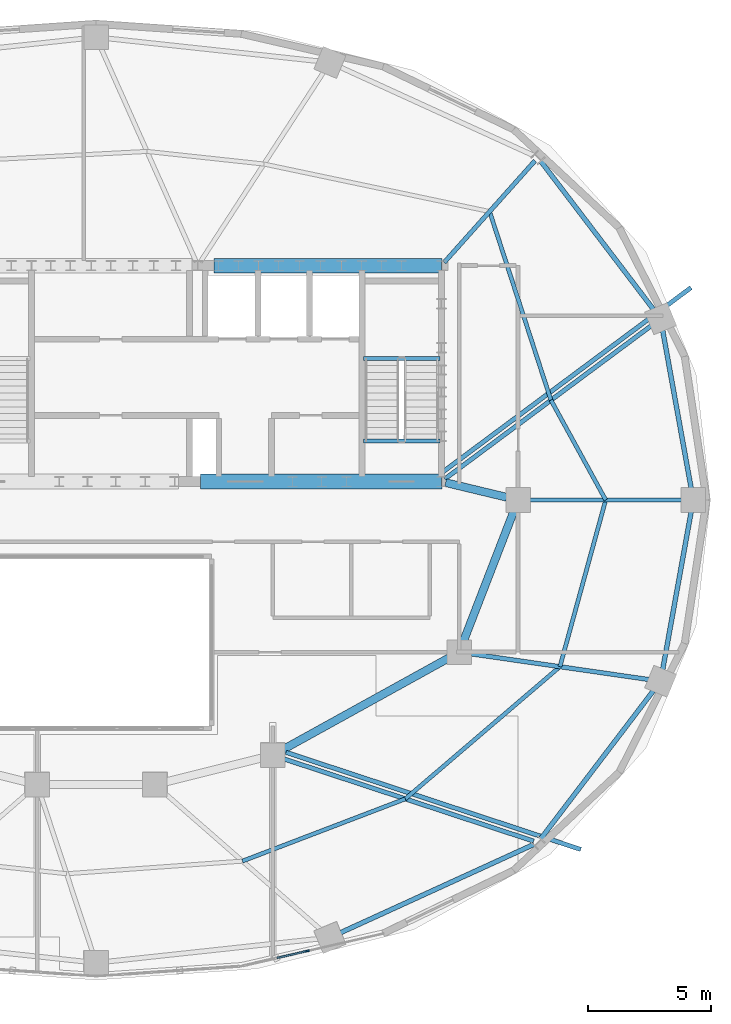
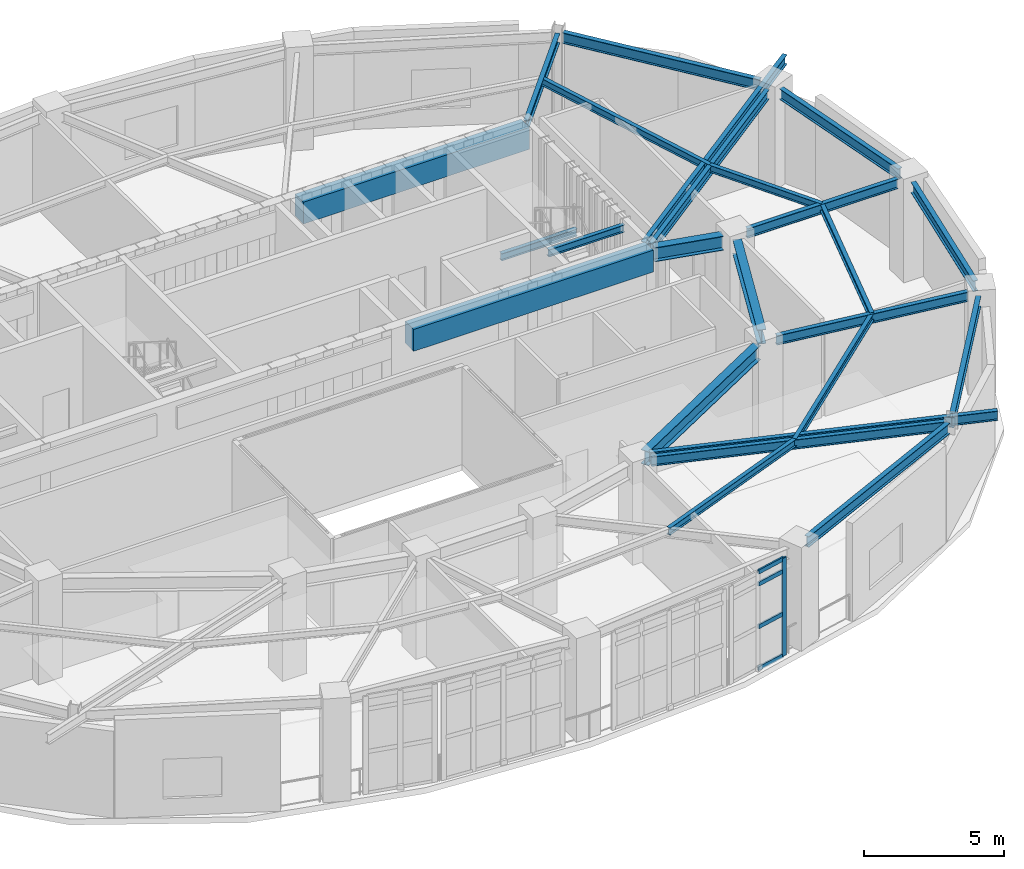
# One storey, part 5 of 11: 24 beams, 5 members, 1 element without a shape of its own.
"""IFC4 building model written with IfcOpenShell, lengths in metres."""

from ifc_helpers import new_model, si_unit, direction, frame, origin, origin_2d, place, context, subcontext, project, spatial, rectangle, i_section, extrude, material, material_profile, profile_set, type_object, element, aggregate, save


model = new_model("IFC4")

# Units and contexts
model_context = context("Model", 3, precision=1e-05, world=origin(), true_north=direction((0.0, 1.0)))
body_context = subcontext(model_context, "Body", "Model", "MODEL_VIEW")
ifc_project = project(units=[si_unit("LENGTHUNIT", "METRE"), si_unit("AREAUNIT", "SQUARE_METRE"), si_unit("VOLUMEUNIT", "CUBIC_METRE"), si_unit("PLANEANGLEUNIT", "RADIAN"), si_unit("MASSUNIT", "GRAM", prefix="KILO")], contexts=[model_context])

# Site, building, storey
site_placement = place(None, origin())
site = spatial("IfcSite", under=ifc_project, at=site_placement, CompositionType="ELEMENT")
building_placement = place(site_placement, origin())
building = spatial("IfcBuilding", under=site, at=building_placement, Name="Haldorwick Loom Tower", CompositionType="ELEMENT")
storey_placement = place(building_placement, frame((0.0, 0.0, 247.800048828125)))
storey = spatial("IfcBuildingStorey", under=building, at=storey_placement, Name="L67", CompositionType="ELEMENT", Elevation=247.800048828125)

# Curtain wall, members
ifc_material_1 = material(Name="Thermally Broken Anodized Aluminium Curtain Wall Framing", Category="aluminium")
curtain_wall_type = type_object("IfcCurtainWallType", Name="ARC-CW-05", PredefinedType="NOTDEFINED", material=ifc_material_1)
curtain_wall_placement = place(storey_placement, origin())
curtain_wall = element("IfcCurtainWall", 1, at=curtain_wall_placement, inside=storey, type_object=curtain_wall_type, Name="L67 Facade Curtain Wall CW-05 Bay 20", PredefinedType="NOTDEFINED")
ifc_material_profile_1 = material_profile(ifc_material_1, rectangle(XDim=0.068115234375, YDim=0.201904296875, at=origin_2d()), Name="ALU_MUL_68X202", Category="aluminium")
ifc_profile_set_1 = profile_set([ifc_material_profile_1], Name="Thermally Broken Anodized Aluminium Curtain Wall Framing")
member_type_1 = type_object("IfcMemberType", Name="ARC-CWM-05", PredefinedType="MULLION", material=ifc_profile_set_1)
member_1_placement = place(storey_placement, frame((44.59375, 7.620849609375, 0.0), z_axis=(0.0, 0.0, 1.0), x_axis=(-0.223948599878, 0.974600956604, 0.0)))
member_1 = element("IfcMember", 2, at=member_1_placement, type_object=member_type_1, Name="CW-05 mullion 3", PredefinedType="MULLION", context=body_context, shape_type="SweptSolid", body=[
    extrude(rectangle(XDim=0.068115234375, YDim=0.201904296875, at=origin_2d()), origin(), (0.0, 0.0, 1.0), 4.260009765625),
])
ifc_material_profile_2 = material_profile(ifc_material_1, rectangle(XDim=0.068115234375, YDim=0.181884765625, at=origin_2d()), Name="ALU_TRN_68X182", Category="aluminium")
ifc_profile_set_2 = profile_set([ifc_material_profile_2], Name="Thermally Broken Anodized Aluminium Curtain Wall Framing")
member_type_2 = type_object("IfcMemberType", Name="ARC-CWT-05", PredefinedType="USERDEFINED", material=ifc_profile_set_2)
member_2_placement = place(storey_placement, frame((43.37451171875, 7.340576171875, 0.033935546875), z_axis=(0.974580154458, 0.224039109391, 0.0), x_axis=(-0.224039109391, 0.974580154458, 0.0)))
member_2 = element("IfcMember", 3, at=member_2_placement, type_object=member_type_2, Name="CW-05 transom 2.1", ObjectType="TRANSOM", PredefinedType="USERDEFINED", context=body_context, shape_type="SweptSolid", body=[
    extrude(rectangle(XDim=0.068115234375, YDim=0.181884765625, at=origin_2d()), origin(), (0.0, 0.0, 1.0), 1.21728515625),
])
member_3_placement = place(storey_placement, frame((43.37451171875, 7.340576171875, 1.849853515625), z_axis=(0.974580154458, 0.224039109391, 0.0), x_axis=(-0.224039109391, 0.974580154458, 0.0)))
member_3 = element("IfcMember", 4, at=member_3_placement, type_object=member_type_2, Name="CW-05 transom 2.2", ObjectType="TRANSOM", PredefinedType="USERDEFINED", context=body_context, shape_type="SweptSolid", body=[
    extrude(rectangle(XDim=0.068115234375, YDim=0.181884765625, at=origin_2d()), origin(), (0.0, 0.0, 1.0), 1.21728515625),
])
member_4_placement = place(storey_placement, frame((43.37451171875, 7.340576171875, 3.699951171875), z_axis=(0.974580154458, 0.224039109391, 0.0), x_axis=(-0.224039109391, 0.974580154458, 0.0)))
member_4 = element("IfcMember", 5, at=member_4_placement, type_object=member_type_2, Name="CW-05 transom 2.3", ObjectType="TRANSOM", PredefinedType="USERDEFINED", context=body_context, shape_type="SweptSolid", body=[
    extrude(rectangle(XDim=0.068115234375, YDim=0.181884765625, at=origin_2d()), origin(), (0.0, 0.0, 1.0), 1.21728515625),
])
member_5_placement = place(storey_placement, frame((43.37451171875, 7.340576171875, 4.225830078125), z_axis=(0.974580154458, 0.224039109391, 0.0), x_axis=(-0.224039109391, 0.974580154458, 0.0)))
member_5 = element("IfcMember", 6, at=member_5_placement, type_object=member_type_2, Name="CW-05 transom 2.4", ObjectType="TRANSOM", PredefinedType="USERDEFINED", context=body_context, shape_type="SweptSolid", body=[
    extrude(rectangle(XDim=0.068115234375, YDim=0.181884765625, at=origin_2d()), origin(), (0.0, 0.0, 1.0), 1.21728515625),
])
aggregate(curtain_wall, [member_1, member_2, member_3, member_4, member_5])

# Beams
ifc_material_2 = material(Name="Steel CSA G40.21 350W", Category="steel")
ifc_material_profile_3 = material_profile(ifc_material_2, i_section(OverallWidth=0.179931640625, OverallDepth=0.4130859375, WebThickness=0.009765625, FlangeThickness=0.01611328125, at=origin_2d()), Name="W410X74", Category="steel")
ifc_profile_set_3 = profile_set([ifc_material_profile_3], Name="Steel CSA G40.21 350W")
beam_type_1 = type_object("IfcBeamType", Name="STR-BM-BAL410", PredefinedType="BEAM", material=ifc_profile_set_3)
beam_1_placement = place(storey_placement, frame((43.73876953125, 15.71728515625, 4.053466796875), z_axis=(0.949823383564, -0.312786732512, 0.0), x_axis=(0.312786732512, 0.949823383564, 0.0)))
element("IfcBeam", 7, at=beam_1_placement, inside=storey, type_object=beam_type_1, Name="L67 Continuous Back-Spanned Balcony Beam 1", PredefinedType="BEAM", context=body_context, shape_type="SweptSolid", body=[
    extrude(i_section(OverallWidth=0.179931640625, OverallDepth=0.4130859375, WebThickness=0.009765625, FlangeThickness=0.01611328125, at=origin_2d()), origin(), (0.0, 0.0, 1.0), 12.65087890625),
])
beam_2_placement = place(storey_placement, frame((50.0458984375, 27.080810546875, 4.053466796875), z_axis=(0.802800628814, 0.596247557962, 0.0), x_axis=(-0.596247557962, 0.802800628814, 0.0)))
element("IfcBeam", 8, at=beam_2_placement, inside=storey, type_object=beam_type_1, Name="L67 Continuous Back-Spanned Balcony Beam 4", PredefinedType="BEAM", context=body_context, shape_type="SweptSolid", body=[
    extrude(i_section(OverallWidth=0.179931640625, OverallDepth=0.4130859375, WebThickness=0.009765625, FlangeThickness=0.01611328125, at=origin_2d()), origin(), (0.0, 0.0, 1.0), 12.701416015625),
])
ifc_material_3 = material(Name="Concrete C50 (50 MPa)", Category="concrete")
ifc_material_profile_4 = material_profile(ifc_material_3, rectangle(XDim=0.60009765625, YDim=0.949951171875, at=origin_2d()), Name="RC600X950", Category="concrete")
ifc_profile_set_4 = profile_set([ifc_material_profile_4], Name="Concrete C50 (50 MPa)")
beam_type_2 = type_object("IfcBeamType", Name="STR-BM-CB950", PredefinedType="LINTEL", material=ifc_profile_set_4)
beam_3_placement = place(storey_placement, frame((40.800048828125, 35.550048828125, 3.784912109375), z_axis=(1.0, 0.0, 0.0), x_axis=(0.0, 1.0, 0.0)))
element("IfcBeam", 9, at=beam_3_placement, inside=storey, type_object=beam_type_2, Name="L67 Core Coupling Beam CB-N3", PredefinedType="LINTEL", context=body_context, shape_type="SweptSolid", body=[
    extrude(rectangle(XDim=0.60009765625, YDim=0.949951171875, at=origin_2d()), origin(), (0.0, 0.0, 1.0), 9.300048828125),
])
beam_4_placement = place(storey_placement, frame((40.25, 26.75, 3.784912109375), z_axis=(1.0, 0.0, 0.0), x_axis=(0.0, 1.0, 0.0)))
element("IfcBeam", 10, at=beam_4_placement, inside=storey, type_object=beam_type_2, Name="L67 Core Coupling Beam CB-S3", PredefinedType="LINTEL", context=body_context, shape_type="SweptSolid", body=[
    extrude(rectangle(XDim=0.60009765625, YDim=0.949951171875, at=origin_2d()), origin(), (0.0, 0.0, 1.0), 9.85009765625),
])
ifc_material_profile_5 = material_profile(ifc_material_2, i_section(OverallWidth=0.166015625, OverallDepth=0.31298828125, WebThickness=0.006591796875, FlangeThickness=0.01123046875, at=origin_2d()), Name="W310X45", Category="steel")
ifc_profile_set_5 = profile_set([ifc_material_profile_5], Name="Steel CSA G40.21 350W")
beam_type_3 = type_object("IfcBeamType", Name="STR-BM-J310", PredefinedType="JOIST", material=ifc_profile_set_5)
beam_5_placement = place(storey_placement, frame((56.768310546875, 26.0, 4.103515625), z_axis=(-0.480863931781, 0.876795232145, 0.0), x_axis=(-0.876795232145, -0.480863931781, 0.0)))
element("IfcBeam", 11, at=beam_5_placement, inside=storey, type_object=beam_type_3, Name="L67 Mid-Bay Secondary Joist 1", PredefinedType="JOIST", context=body_context, shape_type="SweptSolid", body=[
    extrude(i_section(OverallWidth=0.166015625, OverallDepth=0.31298828125, WebThickness=0.006591796875, FlangeThickness=0.01123046875, at=origin_2d()), origin(), (0.0, 0.0, 1.0), 4.639404296875),
])
beam_6_placement = place(storey_placement, frame((54.537353515625, 30.06787109375, 4.103515625), z_axis=(-0.309277990337, 0.95097167397, 0.0), x_axis=(-0.95097167397, -0.309277990337, 0.0)))
element("IfcBeam", 12, at=beam_6_placement, inside=storey, type_object=beam_type_3, Name="L67 Mid-Bay Secondary Joist 2", PredefinedType="JOIST", context=body_context, shape_type="SweptSolid", body=[
    extrude(i_section(OverallWidth=0.166015625, OverallDepth=0.31298828125, WebThickness=0.006591796875, FlangeThickness=0.01123046875, at=origin_2d()), origin(), (0.0, 0.0, 1.0), 8.08251953125),
])
beam_7_placement = place(storey_placement, frame((41.96435546875, 11.284423828125, 4.103515625), z_axis=(0.934134056558, 0.356922350628, 0.0), x_axis=(-0.356922350628, 0.934134056558, 0.0)))
element("IfcBeam", 13, at=beam_7_placement, inside=storey, type_object=beam_type_3, Name="L67 Mid-Bay Secondary Joist 14", PredefinedType="JOIST", context=body_context, shape_type="SweptSolid", body=[
    extrude(i_section(OverallWidth=0.166015625, OverallDepth=0.31298828125, WebThickness=0.006591796875, FlangeThickness=0.01123046875, at=origin_2d()), origin(), (0.0, 0.0, 1.0), 7.106201171875),
])
beam_8_placement = place(storey_placement, frame((48.6025390625, 13.82080078125, 4.103515625), z_axis=(0.760066902561, 0.649844830426, 0.0), x_axis=(-0.649844830426, 0.760066902561, 0.0)))
element("IfcBeam", 14, at=beam_8_placement, inside=storey, type_object=beam_type_3, Name="L67 Mid-Bay Secondary Joist 15", PredefinedType="JOIST", context=body_context, shape_type="SweptSolid", body=[
    extrude(i_section(OverallWidth=0.166015625, OverallDepth=0.31298828125, WebThickness=0.006591796875, FlangeThickness=0.01123046875, at=origin_2d()), origin(), (0.0, 0.0, 1.0), 8.28857421875),
])
beam_9_placement = place(storey_placement, frame((54.90234375, 19.20703125, 4.103515625), z_axis=(0.264879381431, 0.964281552915, 0.0), x_axis=(-0.964281552915, 0.264879381431, 0.0)))
element("IfcBeam", 15, at=beam_9_placement, inside=storey, type_object=beam_type_3, Name="L67 Mid-Bay Secondary Joist 16", PredefinedType="JOIST", context=body_context, shape_type="SweptSolid", body=[
    extrude(i_section(OverallWidth=0.166015625, OverallDepth=0.31298828125, WebThickness=0.006591796875, FlangeThickness=0.01123046875, at=origin_2d()), origin(), (0.0, 0.0, 1.0), 7.044677734375),
])
ifc_material_profile_6 = material_profile(ifc_material_2, i_section(OverallWidth=0.179931640625, OverallDepth=0.4130859375, WebThickness=0.009765625, FlangeThickness=0.01611328125, at=origin_2d()), Name="W410X74", Category="steel")
ifc_profile_set_6 = profile_set([ifc_material_profile_6], Name="Steel CSA G40.21 350W")
beam_type_4 = type_object("IfcBeamType", Name="STR-BM-J410", PredefinedType="JOIST", material=ifc_profile_set_6)
beam_10_placement = place(storey_placement, frame((53.675048828125, 26.0, 4.053466796875), z_axis=(1.0, 0.0, 0.0), x_axis=(0.0, 1.0, 0.0)))
element("IfcBeam", 16, at=beam_10_placement, inside=storey, type_object=beam_type_4, Name="L67 Radial Floor Girder 1", PredefinedType="JOIST", context=body_context, shape_type="SweptSolid", body=[
    extrude(i_section(OverallWidth=0.179931640625, OverallDepth=0.4130859375, WebThickness=0.009765625, FlangeThickness=0.01611328125, at=origin_2d()), origin(), (0.0, 0.0, 1.0), 6.186767578125),
])
beam_11_placement = place(storey_placement, frame((50.212890625, 26.856201171875, 4.053466796875), z_axis=(0.802807271117, 0.596238614518, 0.0), x_axis=(-0.596238614518, 0.802807271117, 0.0)))
element("IfcBeam", 17, at=beam_11_placement, inside=storey, type_object=beam_type_4, Name="L67 Radial Floor Girder 2", PredefinedType="JOIST", context=body_context, shape_type="SweptSolid", body=[
    extrude(i_section(OverallWidth=0.179931640625, OverallDepth=0.4130859375, WebThickness=0.009765625, FlangeThickness=0.01611328125, at=origin_2d()), origin(), (0.0, 0.0, 1.0), 10.476318359375),
])
beam_12_placement = place(storey_placement, frame((50.1884765625, 35.682861328125, 4.053466796875), z_axis=(0.665966842703, 0.745981343212, 0.0), x_axis=(-0.745981343212, 0.665966842703, 0.0)))
element("IfcBeam", 18, at=beam_12_placement, inside=storey, type_object=beam_type_4, Name="L67 Radial Floor Girder 3", PredefinedType="JOIST", context=body_context, shape_type="SweptSolid", body=[
    extrude(i_section(OverallWidth=0.179931640625, OverallDepth=0.4130859375, WebThickness=0.009765625, FlangeThickness=0.01611328125, at=origin_2d()), origin(), (0.0, 0.0, 1.0), 5.55322265625),
])
beam_13_placement = place(storey_placement, frame((43.651123046875, 15.451416015625, 4.053466796875), z_axis=(0.94982454623, -0.312783201882, 0.0), x_axis=(0.312783201882, 0.94982454623, 0.0)))
element("IfcBeam", 19, at=beam_13_placement, inside=storey, type_object=beam_type_4, Name="L67 Radial Floor Girder 15", PredefinedType="JOIST", context=body_context, shape_type="SweptSolid", body=[
    extrude(i_section(OverallWidth=0.179931640625, OverallDepth=0.4130859375, WebThickness=0.009765625, FlangeThickness=0.01611328125, at=origin_2d()), origin(), (0.0, 0.0, 1.0), 10.72314453125),
])
beam_14_placement = place(storey_placement, frame((51.27001953125, 19.732177734375, 4.053466796875), z_axis=(0.989713971376, -0.143060318968, 0.0), x_axis=(0.143060318968, 0.989713971376, 0.0)))
element("IfcBeam", 20, at=beam_14_placement, inside=storey, type_object=beam_type_4, Name="L67 Radial Floor Girder 16", PredefinedType="JOIST", context=body_context, shape_type="SweptSolid", body=[
    extrude(i_section(OverallWidth=0.179931640625, OverallDepth=0.4130859375, WebThickness=0.009765625, FlangeThickness=0.01611328125, at=origin_2d()), origin(), (0.0, 0.0, 1.0), 7.33984375),
])
ifc_material_profile_7 = material_profile(ifc_material_2, i_section(OverallWidth=0.193115234375, OverallDepth=0.466064453125, WebThickness=0.011474609375, FlangeThickness=0.01904296875, at=origin_2d()), Name="W460X97", Category="steel")
ifc_profile_set_7 = profile_set([ifc_material_profile_7], Name="Steel CSA G40.21 350W")
beam_type_5 = type_object("IfcBeamType", Name="STR-BM-SP460", PredefinedType="SPANDREL", material=ifc_profile_set_7)
beam_15_placement = place(storey_placement, frame((60.25244140625, 26.467529296875, 4.02685546875), z_axis=(-0.177515201984, 0.984118058499, 0.0), x_axis=(-0.984118058499, -0.177515201984, 0.0)))
element("IfcBeam", 21, at=beam_15_placement, inside=storey, type_object=beam_type_5, Name="L67 Perimeter Spandrel 1", PredefinedType="SPANDREL", context=body_context, shape_type="SweptSolid", body=[
    extrude(i_section(OverallWidth=0.193115234375, OverallDepth=0.466064453125, WebThickness=0.011474609375, FlangeThickness=0.01904296875, at=origin_2d()), origin(), (0.0, 0.0, 1.0), 6.5546875),
])
beam_16_placement = place(storey_placement, frame((58.717041015625, 33.763916015625, 4.02685546875), z_axis=(-0.605410439126, 0.795913437629, 0.0), x_axis=(-0.795913437629, -0.605410439126, 0.0)))
element("IfcBeam", 22, at=beam_16_placement, inside=storey, type_object=beam_type_5, Name="L67 Perimeter Spandrel 2", PredefinedType="SPANDREL", context=body_context, shape_type="SweptSolid", body=[
    extrude(i_section(OverallWidth=0.193115234375, OverallDepth=0.466064453125, WebThickness=0.011474609375, FlangeThickness=0.01904296875, at=origin_2d()), origin(), (0.0, 0.0, 1.0), 7.604736328125),
])
beam_17_placement = place(storey_placement, frame((45.960693359375, 8.366455078125, 4.02685546875), z_axis=(0.909567887863, 0.415555360172, 0.0), x_axis=(-0.415555360172, 0.909567887863, 0.0)))
element("IfcBeam", 23, at=beam_17_placement, inside=storey, type_object=beam_type_5, Name="L67 Perimeter Spandrel 14", PredefinedType="SPANDREL", context=body_context, shape_type="SweptSolid", body=[
    extrude(i_section(OverallWidth=0.193115234375, OverallDepth=0.466064453125, WebThickness=0.011474609375, FlangeThickness=0.01904296875, at=origin_2d()), origin(), (0.0, 0.0, 1.0), 8.666259765625),
])
beam_18_placement = place(storey_placement, frame((54.113037109375, 12.183349609375, 4.02685546875), z_axis=(0.605410439126, 0.795913437629, 0.0), x_axis=(-0.795913437629, 0.605410439126, 0.0)))
element("IfcBeam", 24, at=beam_18_placement, inside=storey, type_object=beam_type_5, Name="L67 Perimeter Spandrel 15", PredefinedType="SPANDREL", context=body_context, shape_type="SweptSolid", body=[
    extrude(i_section(OverallWidth=0.193115234375, OverallDepth=0.466064453125, WebThickness=0.011474609375, FlangeThickness=0.01904296875, at=origin_2d()), origin(), (0.0, 0.0, 1.0), 7.604736328125),
])
beam_19_placement = place(storey_placement, frame((59.0888671875, 19.081787109375, 4.02685546875), z_axis=(0.177515201984, 0.984118058499, 0.0), x_axis=(-0.984118058499, 0.177515201984, 0.0)))
element("IfcBeam", 25, at=beam_19_placement, inside=storey, type_object=beam_type_5, Name="L67 Perimeter Spandrel 16", PredefinedType="SPANDREL", context=body_context, shape_type="SweptSolid", body=[
    extrude(i_section(OverallWidth=0.193115234375, OverallDepth=0.466064453125, WebThickness=0.011474609375, FlangeThickness=0.01904296875, at=origin_2d()), origin(), (0.0, 0.0, 1.0), 6.5546875),
])
ifc_material_profile_8 = material_profile(ifc_material_2, i_section(OverallWidth=0.166015625, OverallDepth=0.31298828125, WebThickness=0.006591796875, FlangeThickness=0.01123046875, at=origin_2d()), Name="W310X45", Category="steel")
ifc_profile_set_8 = profile_set([ifc_material_profile_8], Name="Steel CSA G40.21 350W")
beam_type_6 = type_object("IfcBeamType", Name="STR-BM-STRM", PredefinedType="BEAM", material=ifc_profile_set_8)
for number, where, z_axis, x_axis, name in (
    (26, (46.889892578125, 28.39990234375, 4.103515625), (1.0, 0.0, 0.0), (0.0, 1.0, 0.0), "L67 Stair ST-02 Landing Edge Trimmer"),
    (27, (46.889892578125, 31.760009765625, 1.8935546875), (1.0, 0.0, 0.0), (0.0, 1.0, 0.0), "L67 Stair ST-02 Half-Landing Trimmer 1"),
):
    element("IfcBeam", number, at=place(storey_placement, frame(where, z_axis=z_axis, x_axis=x_axis)), inside=storey, type_object=beam_type_6, Name=name, PredefinedType="BEAM", context=body_context, shape_type="SweptSolid", body=[
        extrude(i_section(OverallWidth=0.166015625, OverallDepth=0.31298828125, WebThickness=0.006591796875, FlangeThickness=0.01123046875, at=origin_2d()), origin(), (0.0, 0.0, 1.0), 3.1201171875),
    ])
ifc_material_profile_9 = material_profile(ifc_material_2, i_section(OverallWidth=0.324951171875, OverallDepth=0.615966796875, WebThickness=0.013916015625, FlangeThickness=0.021484375, at=origin_2d()), Name="W610X174", Category="steel")
ifc_profile_set_9 = profile_set([ifc_material_profile_9], Name="Steel CSA G40.21 350W")
beam_type_7 = type_object("IfcBeamType", Name="STR-BM-W610A", PredefinedType="BEAM", material=ifc_profile_set_9)
beam_20_placement = place(storey_placement, frame((50.2431640625, 26.70849609375, 3.951904296875), z_axis=(0.972464127734, -0.233052612665, 0.0), x_axis=(0.233052612665, 0.972464127734, 0.0)))
element("IfcBeam", 28, at=beam_20_placement, inside=storey, type_object=beam_type_7, Name="L67 Inner Ring Girder 1", PredefinedType="BEAM", context=body_context, shape_type="SweptSolid", body=[
    extrude(i_section(OverallWidth=0.324951171875, OverallDepth=0.615966796875, WebThickness=0.013916015625, FlangeThickness=0.021484375, at=origin_2d()), origin(), (0.0, 0.0, 1.0), 2.5654296875),
])
beam_21_placement = place(storey_placement, frame((53.028564453125, 25.556884765625, 3.951904296875), z_axis=(-0.36101093026, -0.93256158415, 0.0), x_axis=(0.93256158415, -0.36101093026, 0.0)))
element("IfcBeam", 29, at=beam_21_placement, inside=storey, type_object=beam_type_7, Name="L67 Inner Ring Girder 2", PredefinedType="BEAM", context=body_context, shape_type="SweptSolid", body=[
    extrude(i_section(OverallWidth=0.324951171875, OverallDepth=0.615966796875, WebThickness=0.013916015625, FlangeThickness=0.021484375, at=origin_2d()), origin(), (0.0, 0.0, 1.0), 5.6982421875),
])
beam_22_placement = place(storey_placement, frame((50.38427734375, 19.5703125, 3.951904296875), z_axis=(-0.875243645673, -0.483682293152, 0.0), x_axis=(0.483682293152, -0.875243645673, 0.0)))
element("IfcBeam", 30, at=beam_22_placement, inside=storey, type_object=beam_type_7, Name="L67 Inner Ring Girder 3", PredefinedType="BEAM", context=body_context, shape_type="SweptSolid", body=[
    extrude(i_section(OverallWidth=0.324951171875, OverallDepth=0.615966796875, WebThickness=0.013916015625, FlangeThickness=0.021484375, at=origin_2d()), origin(), (0.0, 0.0, 1.0), 7.7333984375),
])

save(model, "model.ifc")
